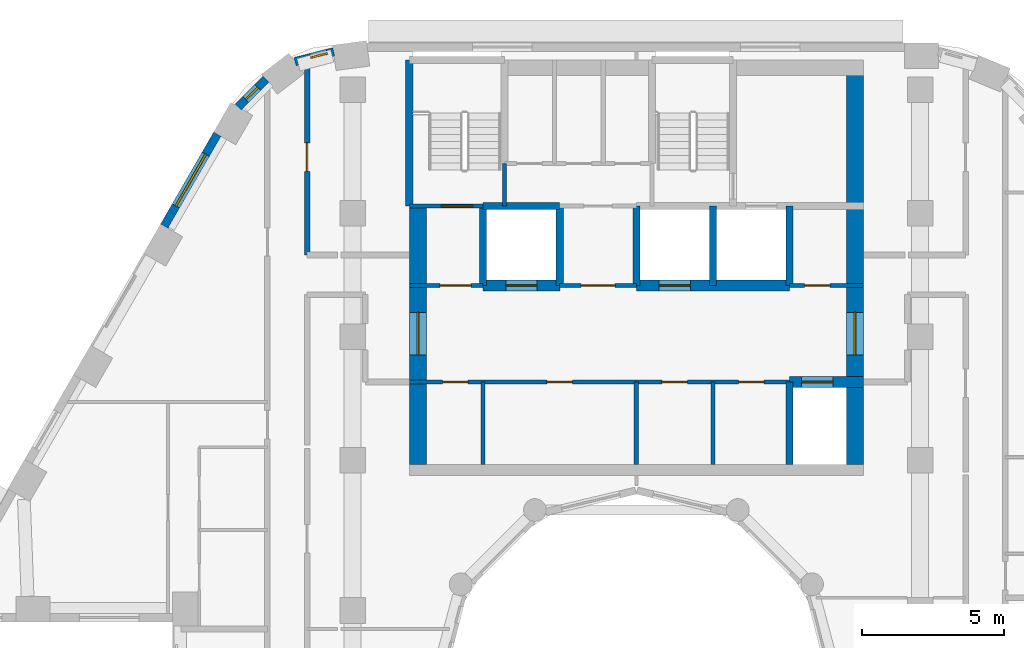
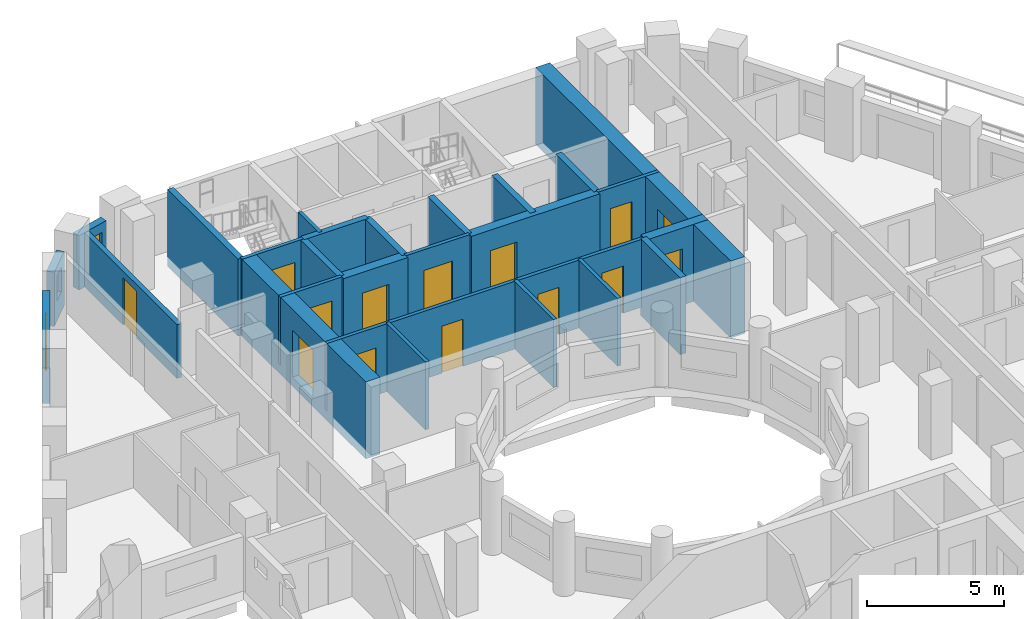
# One storey, part 8 of 18: 26 walls, 14 doors, 3 windows, 17 openings.
"""IFC4 building model written with IfcOpenShell, lengths in metres."""

from ifc_helpers import new_model, si_unit, direction, frame, frame_2d, origin, place, context, subcontext, project, spatial, rectangle, extrude, material, layer, layer_set, type_object, element, fill, save


model = new_model("IFC4")

# Units and contexts
model_context = context("Model", 3, precision=1e-05, world=origin(), true_north=direction((0.0, 1.0)))
body_context = subcontext(model_context, "Body", "Model", "MODEL_VIEW")
ifc_project = project(units=[si_unit("LENGTHUNIT", "METRE"), si_unit("AREAUNIT", "SQUARE_METRE"), si_unit("VOLUMEUNIT", "CUBIC_METRE"), si_unit("PLANEANGLEUNIT", "RADIAN"), si_unit("MASSUNIT", "GRAM", prefix="KILO")], contexts=[model_context])

# Site, building, storey
site_placement = place(None, origin())
site = spatial("IfcSite", under=ifc_project, at=site_placement, CompositionType="ELEMENT")
building_placement = place(site_placement, origin())
building = spatial("IfcBuilding", under=site, at=building_placement, Name="Nakaniwa Court", CompositionType="ELEMENT")
storey_placement = place(building_placement, frame((0.0, 0.0, 176.699951171875)))
storey = spatial("IfcBuildingStorey", under=building, at=storey_placement, Name="L45", CompositionType="ELEMENT", Elevation=176.699951171875)

# Wall, opening, door
ifc_material_1 = material(Name="Acoustic double stud partition")
ifc_layer_1 = layer(ifc_material_1, 0.199951171875)
ifc_layer_set_1 = layer_set([ifc_layer_1], Name="Acoustic double stud partition")
wall_type_1 = type_object("IfcWallType", Name="Acoustic double stud partition 200", PredefinedType="PARTITIONING", material=ifc_layer_set_1)
wall_1_placement = place(storey_placement, frame((68.39990234375, 102.07373046875, 0.0), z_axis=(0.0, 0.0, 1.0), x_axis=(0.0, -1.0, 0.0)))
wall_1 = element("IfcWall", 1, at=wall_1_placement, inside=storey, type_object=wall_type_1, Name="Partition PW-103", PredefinedType="PARTITIONING", context=body_context, shape_type="SweptSolid", body=[
    extrude(rectangle(XDim=6.898681640625, YDim=0.199951171875, at=frame_2d((3.44921875, 0.0))), origin(), (0.0, 0.0, 1.0), 2.405029296875),
])
opening_1_placement = place(wall_1_placement, frame((2.948974609375, 0.0, 0.0)))
opening_1 = element("IfcOpeningElement", 2, at=opening_1_placement, cuts=wall_1, Name="Opening D-02-09", PredefinedType="OPENING", context=body_context, shape_type="SweptSolid", body=[
    extrude(rectangle(XDim=1.0, YDim=2.10009765625, at=frame_2d((0.5, 1.050048828125))), frame((0.0, 0.10986328125, 0.0), z_axis=(0.0, -1.0, 0.0), x_axis=(1.0, 0.0, 0.0)), (0.0, 0.0, 1.0), 0.219970703125),
])
ifc_material_2 = material(Name="Solid core timber door set, black veneer", Category="wood")
door_type_1 = type_object("IfcDoorType", Name="Internal door 1000", OperationType="NOTDEFINED", PredefinedType="DOOR", material=ifc_material_2)
door_1_placement = place(opening_1_placement, origin())
door_1 = element("IfcDoor", 3, at=door_1_placement, inside=storey, type_object=door_type_1, Name="Door D-02-09 L45-062", OperationType="SINGLE_SWING_LEFT", OverallHeight=2.10009765625, OverallWidth=1.0, PredefinedType="DOOR", context=body_context, shape_type="SweptSolid", body=[
    extrude(rectangle(XDim=1.0, YDim=2.10009765625, at=frame_2d((0.5, 1.050048828125))), frame((0.0, 0.02490234375, 0.0), z_axis=(0.0, -1.0, 0.0), x_axis=(1.0, 0.0, 0.0)), (0.0, 0.0, 1.0), 0.050048828125),
])
fill(opening_1, door_1)

# Wall, opening, window
ifc_material_3 = material(Name="Charcoal ceramic cladding")
ifc_layer_2 = layer(ifc_material_3, 0.02, Name="Ceramic cladding")
ifc_material_4 = material(Name="Ventilated air cavity")
ifc_layer_3 = layer(ifc_material_4, 0.04, ventilated=True, Name="Ventilated cavity")
ifc_material_5 = material(Name="Mineral wool insulation")
ifc_layer_4 = layer(ifc_material_5, 0.1, Name="Insulation")
ifc_material_6 = material(Name="Cement bonded sheathing board")
ifc_layer_5 = layer(ifc_material_6, 0.012, Name="Sheathing")
ifc_material_7 = material(Name="Cold-formed galvanised stud frame with mineral wool infill")
ifc_layer_6 = layer(ifc_material_7, 0.1, Name="Stud frame")
ifc_material_8 = material(Name="Fire-rated gypsum plasterboard lining")
ifc_layer_7 = layer(ifc_material_8, 0.028, Name="Lining")
ifc_layer_set_2 = layer_set([ifc_layer_2, ifc_layer_3, ifc_layer_4, ifc_layer_5, ifc_layer_6, ifc_layer_7], Name="Charcoal ceramic faced external wall system")
wall_type_2 = type_object("IfcWallType", Name="Black ceramic faced external wall 300", PredefinedType="SOLIDWALL", material=ifc_layer_set_2)
wall_2_placement = place(storey_placement, frame((69.3359375, 102.333251953125, 0.0), z_axis=(0.0, 0.0, 1.0), x_axis=(-0.969037396898, -0.246914000036, 0.0)))
wall_2 = element("IfcWall", 4, at=wall_2_placement, inside=storey, type_object=wall_type_2, Name="L45 external wall 09", PredefinedType="SOLIDWALL", context=body_context, shape_type="SweptSolid", body=[
    extrude(rectangle(XDim=1.403076171875, YDim=0.300048828125, at=frame_2d((0.70166015625, 0.0))), origin(), (0.0, 0.0, 1.0), 2.425048828125),
])
opening_2_placement = place(wall_2_placement, frame((0.22900390625, 0.0, 0.89990234375)))
opening_2 = element("IfcOpeningElement", 5, at=opening_2_placement, cuts=wall_2, Name="Opening W8.09", PredefinedType="OPENING", context=body_context, shape_type="SweptSolid", body=[
    extrude(rectangle(XDim=0.60009765625, YDim=1.10009765625, at=frame_2d((0.300048828125, 0.550048828125))), frame((0.0, 0.159912109375, 0.0), z_axis=(0.0, -1.0, 0.0), x_axis=(1.0, 0.0, 0.0)), (0.0, 0.0, 1.0), 0.320068359375),
])
ifc_material_9 = material(Name="Black anodised aluminium frame with dark low-E laminated double glazing", Category="aluminium")
window_type_1 = type_object("IfcWindowType", Name="Dark glass window 600x1100 sill 900", PartitioningType="SINGLE_PANEL", PredefinedType="WINDOW", material=ifc_material_9)
window_1_placement = place(opening_2_placement, origin())
window_1 = element("IfcWindow", 6, at=window_1_placement, inside=storey, type_object=window_type_1, Name="L45 habitable room window 09-0", OverallHeight=1.10009765625, OverallWidth=0.60009765625, PartitioningType="SINGLE_PANEL", PredefinedType="WINDOW", context=body_context, shape_type="SweptSolid", body=[
    extrude(rectangle(XDim=0.60009765625, YDim=1.10009765625, at=frame_2d((0.300048828125, 0.550048828125))), frame((0.0, 0.030029296875, 0.0), z_axis=(0.0, -1.0, 0.0), x_axis=(1.0, 0.0, 0.0)), (0.0, 0.0, 1.0), 0.06005859375),
])
fill(opening_2, window_1)

wall_3_placement = place(storey_placement, frame((66.951904296875, 101.36328125, 0.0), z_axis=(0.0, 0.0, 1.0), x_axis=(-0.70869320446, -0.705516790695, 0.0)))
wall_3 = element("IfcWall", 7, at=wall_3_placement, inside=storey, type_object=wall_type_2, Name="L45 external wall 10", PredefinedType="SOLIDWALL", context=body_context, shape_type="SweptSolid", body=[
    extrude(rectangle(XDim=1.383544921875, YDim=0.300048828125, at=frame_2d((0.69189453125, 0.0))), origin(), (0.0, 0.0, 1.0), 2.425048828125),
])
opening_3_placement = place(wall_3_placement, frame((0.407958984375, 0.0, 0.89990234375)))
opening_3 = element("IfcOpeningElement", 8, at=opening_3_placement, cuts=wall_3, Name="Opening W8.10", PredefinedType="OPENING", context=body_context, shape_type="SweptSolid", body=[
    extrude(rectangle(XDim=0.60009765625, YDim=1.10009765625, at=frame_2d((0.300048828125, 0.550048828125))), frame((0.0, 0.159912109375, 0.0), z_axis=(0.0, -1.0, 0.0), x_axis=(1.0, 0.0, 0.0)), (0.0, 0.0, 1.0), 0.320068359375),
])
window_2_placement = place(opening_3_placement, origin())
window_2 = element("IfcWindow", 9, at=window_2_placement, inside=storey, type_object=window_type_1, Name="L45 habitable room window 10-1", OverallHeight=1.10009765625, OverallWidth=0.60009765625, PartitioningType="SINGLE_PANEL", PredefinedType="WINDOW", context=body_context, shape_type="SweptSolid", body=[
    extrude(rectangle(XDim=0.60009765625, YDim=1.10009765625, at=frame_2d((0.300048828125, 0.550048828125))), frame((0.0, 0.030029296875, 0.0), z_axis=(0.0, -1.0, 0.0), x_axis=(1.0, 0.0, 0.0)), (0.0, 0.0, 1.0), 0.06005859375),
])
fill(opening_3, window_2)

wall_4_placement = place(storey_placement, frame((65.239013671875, 99.433349609375, 0.0), z_axis=(0.0, 0.0, 1.0), x_axis=(-0.499982088007, -0.866035745032, 0.0)))
wall_4 = element("IfcWall", 10, at=wall_4_placement, inside=storey, type_object=wall_type_2, Name="L45 external wall 11", PredefinedType="SOLIDWALL", context=body_context, shape_type="SweptSolid", body=[
    extrude(rectangle(XDim=3.744384765625, YDim=0.300048828125, at=frame_2d((1.8720703125, 0.0))), origin(), (0.0, 0.0, 1.0), 2.425048828125),
])
opening_4_placement = place(wall_4_placement, frame((0.822021484375, 0.0, 0.89990234375)))
opening_4 = element("IfcOpeningElement", 11, at=opening_4_placement, cuts=wall_4, Name="Opening W7.11", PredefinedType="OPENING", context=body_context, shape_type="SweptSolid", body=[
    extrude(rectangle(XDim=2.10009765625, YDim=1.10009765625, at=frame_2d((1.050048828125, 0.550048828125))), frame((0.0, 0.159912109375, 0.0), z_axis=(0.0, -1.0, 0.0), x_axis=(1.0, 0.0, 0.0)), (0.0, 0.0, 1.0), 0.320068359375),
])
window_type_2 = type_object("IfcWindowType", Name="Dark glass window 2100x1100 sill 900", PartitioningType="SINGLE_PANEL", PredefinedType="WINDOW", material=ifc_material_9)
window_3_placement = place(opening_4_placement, origin())
window_3 = element("IfcWindow", 12, at=window_3_placement, inside=storey, type_object=window_type_2, Name="L45 habitable room window 11-0", OverallHeight=1.10009765625, OverallWidth=2.10009765625, PartitioningType="SINGLE_PANEL", PredefinedType="WINDOW", context=body_context, shape_type="SweptSolid", body=[
    extrude(rectangle(XDim=2.10009765625, YDim=1.10009765625, at=frame_2d((1.050048828125, 0.550048828125))), frame((0.0, 0.030029296875, 0.0), z_axis=(0.0, -1.0, 0.0), x_axis=(1.0, 0.0, 0.0)), (0.0, 0.0, 1.0), 0.06005859375),
])
fill(opening_4, window_3)

# Wall
ifc_material_10 = material(Name="Blockwork partition", Category="masonry")
ifc_layer_8 = layer(ifc_material_10, 0.14990234375)
ifc_layer_set_3 = layer_set([ifc_layer_8], Name="Blockwork partition")
wall_type_3 = type_object("IfcWallType", Name="Blockwork partition 150", PredefinedType="PARTITIONING", material=ifc_layer_set_3)
wall_5_placement = place(storey_placement, frame((74.60009765625, 87.800048828125, 0.0), z_axis=(0.0, 0.0, 1.0), x_axis=(0.0, 1.0, 0.0)))
element("IfcWall", 13, at=wall_5_placement, inside=storey, type_object=wall_type_3, Name="Partition PW-001", PredefinedType="PARTITIONING", context=body_context, shape_type="SweptSolid", body=[
    extrude(rectangle(XDim=2.89990234375, YDim=0.14990234375, at=frame_2d((1.449951171875, 0.0))), origin(), (0.0, 0.0, 1.0), 3.025146484375),
])

# Wall, openings, doors
wall_6_placement = place(storey_placement, frame((85.39990234375, 90.699951171875, 0.0), z_axis=(0.0, 0.0, 1.0), x_axis=(-1.0, 0.0, 0.0)))
wall_6 = element("IfcWall", 14, at=wall_6_placement, inside=storey, type_object=wall_type_3, Name="Partition PW-002", PredefinedType="PARTITIONING", context=body_context, shape_type="SweptSolid", body=[
    extrude(rectangle(XDim=13.39990234375, YDim=0.14990234375, at=frame_2d((6.699951171875, 0.0))), origin(), (0.0, 0.0, 1.0), 3.025146484375),
])
opening_5_placement = place(wall_6_placement, frame((11.324951171875, 0.0, 0.0)))
opening_5 = element("IfcOpeningElement", 15, at=opening_5_placement, cuts=wall_6, Name="Opening D-05-01", PredefinedType="OPENING", context=body_context, shape_type="SweptSolid", body=[
    extrude(rectangle(XDim=0.89990234375, YDim=2.10009765625, at=frame_2d((0.449951171875, 1.050048828125))), frame((0.0, 0.0849609375, 0.0), z_axis=(0.0, -1.0, 0.0), x_axis=(1.0, 0.0, 0.0)), (0.0, 0.0, 1.0), 0.169921875),
])
opening_6_placement = place(wall_6_placement, frame((7.64990234375, 0.0, 0.0)))
opening_6 = element("IfcOpeningElement", 16, at=opening_6_placement, cuts=wall_6, Name="Opening D-05-02", PredefinedType="OPENING", context=body_context, shape_type="SweptSolid", body=[
    extrude(rectangle(XDim=0.89990234375, YDim=2.10009765625, at=frame_2d((0.449951171875, 1.050048828125))), frame((0.0, 0.0849609375, 0.0), z_axis=(0.0, -1.0, 0.0), x_axis=(1.0, 0.0, 0.0)), (0.0, 0.0, 1.0), 0.169921875),
])
opening_7_placement = place(wall_6_placement, frame((3.60009765625, 0.0, 0.0)))
opening_7 = element("IfcOpeningElement", 17, at=opening_7_placement, cuts=wall_6, Name="Opening D-05-03", PredefinedType="OPENING", context=body_context, shape_type="SweptSolid", body=[
    extrude(rectangle(XDim=0.89990234375, YDim=2.10009765625, at=frame_2d((0.449951171875, 1.050048828125))), frame((0.0, 0.0849609375, 0.0), z_axis=(0.0, -1.0, 0.0), x_axis=(1.0, 0.0, 0.0)), (0.0, 0.0, 1.0), 0.169921875),
])
opening_8_placement = place(wall_6_placement, frame((0.89990234375, 0.0, 0.0)))
opening_8 = element("IfcOpeningElement", 18, at=opening_8_placement, cuts=wall_6, Name="Opening D-05-04", PredefinedType="OPENING", context=body_context, shape_type="SweptSolid", body=[
    extrude(rectangle(XDim=0.89990234375, YDim=2.10009765625, at=frame_2d((0.449951171875, 1.050048828125))), frame((0.0, 0.0849609375, 0.0), z_axis=(0.0, -1.0, 0.0), x_axis=(1.0, 0.0, 0.0)), (0.0, 0.0, 1.0), 0.169921875),
])
ifc_material_11 = material(Name="Fire rated steel door set", Category="steel")
door_type_2 = type_object("IfcDoorType", Name="Service room door 900", OperationType="NOTDEFINED", PredefinedType="DOOR", material=ifc_material_11)
door_2_placement = place(opening_5_placement, origin())
door_2 = element("IfcDoor", 19, at=door_2_placement, inside=storey, type_object=door_type_2, Name="Door D-05-01 L45-001", OperationType="SINGLE_SWING_RIGHT", OverallHeight=2.10009765625, OverallWidth=0.89990234375, PredefinedType="DOOR", context=body_context, shape_type="SweptSolid", body=[
    extrude(rectangle(XDim=0.89990234375, YDim=2.10009765625, at=frame_2d((0.449951171875, 1.050048828125))), frame((0.0, 0.02490234375, 0.0), z_axis=(0.0, -1.0, 0.0), x_axis=(1.0, 0.0, 0.0)), (0.0, 0.0, 1.0), 0.050048828125),
])
fill(opening_5, door_2)
door_3_placement = place(opening_6_placement, origin())
door_3 = element("IfcDoor", 20, at=door_3_placement, inside=storey, type_object=door_type_2, Name="Door D-05-02 L45-002", OperationType="SINGLE_SWING_LEFT", OverallHeight=2.10009765625, OverallWidth=0.89990234375, PredefinedType="DOOR", context=body_context, shape_type="SweptSolid", body=[
    extrude(rectangle(XDim=0.89990234375, YDim=2.10009765625, at=frame_2d((0.449951171875, 1.050048828125))), frame((0.0, 0.02490234375, 0.0), z_axis=(0.0, -1.0, 0.0), x_axis=(1.0, 0.0, 0.0)), (0.0, 0.0, 1.0), 0.050048828125),
])
fill(opening_6, door_3)
door_4_placement = place(opening_7_placement, origin())
door_4 = element("IfcDoor", 21, at=door_4_placement, inside=storey, type_object=door_type_2, Name="Door D-05-03 L45-003", OperationType="SINGLE_SWING_RIGHT", OverallHeight=2.10009765625, OverallWidth=0.89990234375, PredefinedType="DOOR", context=body_context, shape_type="SweptSolid", body=[
    extrude(rectangle(XDim=0.89990234375, YDim=2.10009765625, at=frame_2d((0.449951171875, 1.050048828125))), frame((0.0, 0.02490234375, 0.0), z_axis=(0.0, -1.0, 0.0), x_axis=(1.0, 0.0, 0.0)), (0.0, 0.0, 1.0), 0.050048828125),
])
fill(opening_7, door_4)
door_5_placement = place(opening_8_placement, origin())
door_5 = element("IfcDoor", 22, at=door_5_placement, inside=storey, type_object=door_type_2, Name="Door D-05-04 L45-004", OperationType="SINGLE_SWING_LEFT", OverallHeight=2.10009765625, OverallWidth=0.89990234375, PredefinedType="DOOR", context=body_context, shape_type="SweptSolid", body=[
    extrude(rectangle(XDim=0.89990234375, YDim=2.10009765625, at=frame_2d((0.449951171875, 1.050048828125))), frame((0.0, 0.02490234375, 0.0), z_axis=(0.0, -1.0, 0.0), x_axis=(1.0, 0.0, 0.0)), (0.0, 0.0, 1.0), 0.050048828125),
])
fill(opening_8, door_5)

# Walls
for number, where, z_axis, x_axis, name in (
    (23, (80.0, 87.800048828125, 0.0), (0.0, 0.0, 1.0), (0.0, 1.0, 0.0), "Partition PW-008"),
    (24, (82.699951171875, 87.800048828125, 0.0), (0.0, 0.0, 1.0), (0.0, 1.0, 0.0), "Partition PW-009"),
):
    element("IfcWall", number, at=place(storey_placement, frame(where, z_axis=z_axis, x_axis=x_axis)), inside=storey, type_object=wall_type_3, Name=name, PredefinedType="PARTITIONING", context=body_context, shape_type="SweptSolid", body=[
        extrude(rectangle(XDim=2.89990234375, YDim=0.14990234375, at=frame_2d((1.449951171875, 0.0))), origin(), (0.0, 0.0, 1.0), 3.025146484375),
    ])

# Wall, opening, door
wall_7_placement = place(storey_placement, frame((72.0, 94.10009765625, 0.0), z_axis=(0.0, 0.0, 1.0), x_axis=(1.0, 0.0, 0.0)))
wall_7 = element("IfcWall", 25, at=wall_7_placement, inside=storey, type_object=wall_type_3, Name="Partition PW-010", PredefinedType="PARTITIONING", context=body_context, shape_type="SweptSolid", body=[
    extrude(rectangle(XDim=2.60302734375, YDim=0.14990234375, at=frame_2d((1.301513671875, 0.0))), origin(), (0.0, 0.0, 1.0), 3.025146484375),
])
opening_9_placement = place(wall_7_placement, frame((1.074951171875, 0.0, 0.0)))
opening_9 = element("IfcOpeningElement", 26, at=opening_9_placement, cuts=wall_7, Name="Opening D-08-01", PredefinedType="OPENING", context=body_context, shape_type="SweptSolid", body=[
    extrude(rectangle(XDim=1.10009765625, YDim=2.10009765625, at=frame_2d((0.550048828125, 1.050048828125))), frame((0.0, 0.0849609375, 0.0), z_axis=(0.0, -1.0, 0.0), x_axis=(1.0, 0.0, 0.0)), (0.0, 0.0, 1.0), 0.169921875),
])
door_type_3 = type_object("IfcDoorType", Name="Stair lobby door 1100", OperationType="NOTDEFINED", PredefinedType="DOOR", material=ifc_material_11)
door_6_placement = place(opening_9_placement, origin())
door_6 = element("IfcDoor", 27, at=door_6_placement, inside=storey, type_object=door_type_3, Name="Door D-08-01 L45-005", OperationType="SINGLE_SWING_RIGHT", OverallHeight=2.10009765625, OverallWidth=1.10009765625, PredefinedType="DOOR", context=body_context, shape_type="SweptSolid", body=[
    extrude(rectangle(XDim=1.10009765625, YDim=2.10009765625, at=frame_2d((0.550048828125, 1.050048828125))), frame((0.0, 0.02490234375, 0.0), z_axis=(0.0, -1.0, 0.0), x_axis=(1.0, 0.0, 0.0)), (0.0, 0.0, 1.0), 0.050048828125),
])
fill(opening_9, door_6)

wall_8_placement = place(storey_placement, frame((77.297119140625, 94.10009765625, 0.0), z_axis=(0.0, 0.0, 1.0), x_axis=(1.0, 0.0, 0.0)))
wall_8 = element("IfcWall", 28, at=wall_8_placement, inside=storey, type_object=wall_type_3, Name="Partition PW-011", PredefinedType="PARTITIONING", context=body_context, shape_type="SweptSolid", body=[
    extrude(rectangle(XDim=2.705810546875, YDim=0.14990234375, at=frame_2d((1.35302734375, 0.0))), origin(), (0.0, 0.0, 1.0), 3.025146484375),
])
opening_10_placement = place(wall_8_placement, frame((0.7529296875, 0.0, 0.0)))
opening_10 = element("IfcOpeningElement", 29, at=opening_10_placement, cuts=wall_8, Name="Opening D-06-01", PredefinedType="OPENING", context=body_context, shape_type="SweptSolid", body=[
    extrude(rectangle(XDim=1.199951171875, YDim=2.10009765625, at=frame_2d((0.60009765625, 1.050048828125))), frame((0.0, 0.0849609375, 0.0), z_axis=(0.0, -1.0, 0.0), x_axis=(1.0, 0.0, 0.0)), (0.0, 0.0, 1.0), 0.169921875),
])
ifc_material_12 = material(Name="Fire rated steel double door set", Category="steel")
door_type_4 = type_object("IfcDoorType", Name="Service passage double door 1200", OperationType="NOTDEFINED", PredefinedType="DOOR", material=ifc_material_12)
door_7_placement = place(opening_10_placement, origin())
door_7 = element("IfcDoor", 30, at=door_7_placement, inside=storey, type_object=door_type_4, Name="Door D-06-01 L45-006", OperationType="DOUBLE_DOOR_SINGLE_SWING", OverallHeight=2.10009765625, OverallWidth=1.199951171875, PredefinedType="DOOR", context=body_context, shape_type="SweptSolid", body=[
    extrude(rectangle(XDim=1.199951171875, YDim=2.10009765625, at=frame_2d((0.60009765625, 1.050048828125))), frame((0.0, 0.02490234375, 0.0), z_axis=(0.0, -1.0, 0.0), x_axis=(1.0, 0.0, 0.0)), (0.0, 0.0, 1.0), 0.050048828125),
])
fill(opening_10, door_7)

wall_9_placement = place(storey_placement, frame((85.39697265625, 94.10009765625, 0.0), z_axis=(0.0, 0.0, 1.0), x_axis=(1.0, 0.0, 0.0)))
wall_9 = element("IfcWall", 31, at=wall_9_placement, inside=storey, type_object=wall_type_3, Name="Partition PW-012", PredefinedType="PARTITIONING", context=body_context, shape_type="SweptSolid", body=[
    extrude(rectangle(XDim=2.60302734375, YDim=0.14990234375, at=frame_2d((1.301513671875, 0.0))), origin(), (0.0, 0.0, 1.0), 3.025146484375),
])
opening_11_placement = place(wall_9_placement, frame((0.528076171875, 0.0, 0.0)))
opening_11 = element("IfcOpeningElement", 32, at=opening_11_placement, cuts=wall_9, Name="Opening D-05-05", PredefinedType="OPENING", context=body_context, shape_type="SweptSolid", body=[
    extrude(rectangle(XDim=0.89990234375, YDim=2.10009765625, at=frame_2d((0.449951171875, 1.050048828125))), frame((0.0, 0.0849609375, 0.0), z_axis=(0.0, -1.0, 0.0), x_axis=(1.0, 0.0, 0.0)), (0.0, 0.0, 1.0), 0.169921875),
])
door_8_placement = place(opening_11_placement, origin())
door_8 = element("IfcDoor", 33, at=door_8_placement, inside=storey, type_object=door_type_2, Name="Door D-05-05 L45-007", OperationType="SINGLE_SWING_RIGHT", OverallHeight=2.10009765625, OverallWidth=0.89990234375, PredefinedType="DOOR", context=body_context, shape_type="SweptSolid", body=[
    extrude(rectangle(XDim=0.89990234375, YDim=2.10009765625, at=frame_2d((0.449951171875, 1.050048828125))), frame((0.0, 0.02490234375, 0.0), z_axis=(0.0, -1.0, 0.0), x_axis=(1.0, 0.0, 0.0)), (0.0, 0.0, 1.0), 0.050048828125),
])
fill(opening_11, door_8)

ifc_material_13 = material(Name="Concrete C80/100", Category="concrete")
ifc_layer_9 = layer(ifc_material_13, 0.60009765625)
ifc_layer_set_4 = layer_set([ifc_layer_9], Name="Concrete C80/100")
wall_type_4 = type_object("IfcWallType", Name="Concrete core side wall 600 C80", PredefinedType="SHEAR", material=ifc_layer_set_4)
wall_10_placement = place(storey_placement, frame((72.300048828125, 87.800048828125, -0.409912109375), z_axis=(0.0, 0.0, 1.0), x_axis=(0.0, 1.0, 0.0)))
wall_10 = element("IfcWall", 34, at=wall_10_placement, inside=storey, type_object=wall_type_4, Name="Core wall SW-03", PredefinedType="SHEAR", context=body_context, shape_type="SweptSolid", body=[
    extrude(rectangle(XDim=9.099853515625, YDim=0.60009765625, at=frame_2d((4.5498046875, 0.0))), origin(), (0.0, 0.0, 1.0), 3.43505859375),
])
opening_12_placement = place(wall_10_placement, frame((3.85205078125, 0.0, 0.409912109375)))
opening_12 = element("IfcOpeningElement", 35, at=opening_12_placement, cuts=wall_10, Name="Opening D-07-02", PredefinedType="OPENING", context=body_context, shape_type="SweptSolid", body=[
    extrude(rectangle(XDim=1.5, YDim=2.10009765625, at=frame_2d((0.75, 1.050048828125))), frame((0.0, 0.31005859375, 0.0), z_axis=(0.0, -1.0, 0.0), x_axis=(1.0, 0.0, 0.0)), (0.0, 0.0, 1.0), 0.6201171875),
])
ifc_material_14 = material(Name="Glazed fire rated steel double door set", Category="steel")
door_type_5 = type_object("IfcDoorType", Name="Lobby double door 1500", OperationType="NOTDEFINED", PredefinedType="DOOR", material=ifc_material_14)
door_9_placement = place(opening_12_placement, origin())
door_9 = element("IfcDoor", 36, at=door_9_placement, inside=storey, type_object=door_type_5, Name="Door D-07-02 L45-064", OperationType="DOUBLE_DOOR_SINGLE_SWING", OverallHeight=2.10009765625, OverallWidth=1.5, PredefinedType="DOOR", context=body_context, shape_type="SweptSolid", body=[
    extrude(rectangle(XDim=1.5, YDim=2.10009765625, at=frame_2d((0.75, 1.050048828125))), frame((0.0, 0.02490234375, 0.0), z_axis=(0.0, -1.0, 0.0), x_axis=(1.0, 0.0, 0.0)), (0.0, 0.0, 1.0), 0.050048828125),
])
fill(opening_12, door_9)

wall_11_placement = place(storey_placement, frame((87.699951171875, 102.050048828125, -0.409912109375), z_axis=(0.0, 0.0, 1.0), x_axis=(0.0, -1.0, 0.0)))
wall_11 = element("IfcWall", 37, at=wall_11_placement, inside=storey, type_object=wall_type_4, Name="Core wall SW-07", PredefinedType="SHEAR", context=body_context, shape_type="SweptSolid", body=[
    extrude(rectangle(XDim=14.25, YDim=0.60009765625, at=frame_2d((7.125, 0.0))), origin(), (0.0, 0.0, 1.0), 3.43505859375),
])
opening_13_placement = place(wall_11_placement, frame((8.89794921875, 0.0, 0.409912109375)))
opening_13 = element("IfcOpeningElement", 38, at=opening_13_placement, cuts=wall_11, Name="Opening D-07-01", PredefinedType="OPENING", context=body_context, shape_type="SweptSolid", body=[
    extrude(rectangle(XDim=1.5, YDim=2.10009765625, at=frame_2d((0.75, 1.050048828125))), frame((0.0, 0.31005859375, 0.0), z_axis=(0.0, -1.0, 0.0), x_axis=(1.0, 0.0, 0.0)), (0.0, 0.0, 1.0), 0.6201171875),
])
door_10_placement = place(opening_13_placement, origin())
door_10 = element("IfcDoor", 39, at=door_10_placement, inside=storey, type_object=door_type_5, Name="Door D-07-01 L45-063", OperationType="DOUBLE_DOOR_SINGLE_SWING", OverallHeight=2.10009765625, OverallWidth=1.5, PredefinedType="DOOR", context=body_context, shape_type="SweptSolid", body=[
    extrude(rectangle(XDim=1.5, YDim=2.10009765625, at=frame_2d((0.75, 1.050048828125))), frame((0.0, 0.02490234375, 0.0), z_axis=(0.0, -1.0, 0.0), x_axis=(1.0, 0.0, 0.0)), (0.0, 0.0, 1.0), 0.050048828125),
])
fill(opening_13, door_10)

ifc_layer_10 = layer(ifc_material_13, 0.39990234375)
ifc_layer_set_5 = layer_set([ifc_layer_10], Name="Concrete C80/100")
wall_type_5 = type_object("IfcWallType", Name="Concrete core spine wall 400 C80", PredefinedType="SHEAR", material=ifc_layer_set_5)
wall_12_placement = place(storey_placement, frame((85.39990234375, 90.699951171875, -0.409912109375), z_axis=(0.0, 0.0, 1.0), x_axis=(1.0, 0.0, 0.0)))
wall_12 = element("IfcWall", 40, at=wall_12_placement, inside=storey, type_object=wall_type_5, Name="Core wall SW-06", PredefinedType="SHEAR", context=body_context, shape_type="SweptSolid", body=[
    extrude(rectangle(XDim=2.60009765625, YDim=0.39990234375, at=frame_2d((1.300048828125, 0.0))), origin(), (0.0, 0.0, 1.0), 3.43505859375),
])
opening_14_placement = place(wall_12_placement, frame((0.425048828125, 0.0, 0.409912109375)))
opening_14 = element("IfcOpeningElement", 41, at=opening_14_placement, cuts=wall_12, Name="Opening LD01", PredefinedType="OPENING", context=body_context, shape_type="SweptSolid", body=[
    extrude(rectangle(XDim=1.10009765625, YDim=2.10009765625, at=frame_2d((0.550048828125, 1.050048828125))), frame((0.0, 0.2099609375, 0.0), z_axis=(0.0, -1.0, 0.0), x_axis=(1.0, 0.0, 0.0)), (0.0, 0.0, 1.0), 0.419921875),
])
ifc_material_15 = material(Name="Stainless steel sliding lift landing door", Category="steel")
door_type_6 = type_object("IfcDoorType", Name="Lift landing door 1100", OperationType="NOTDEFINED", PredefinedType="DOOR", material=ifc_material_15)
door_11_placement = place(opening_14_placement, origin())
door_11 = element("IfcDoor", 42, at=door_11_placement, inside=storey, type_object=door_type_6, Name="Lift landing door LD01 L45-001", OperationType="SLIDING_TO_LEFT", OverallHeight=2.10009765625, OverallWidth=1.10009765625, PredefinedType="DOOR", context=body_context, shape_type="SweptSolid", body=[
    extrude(rectangle(XDim=1.10009765625, YDim=2.10009765625, at=frame_2d((0.550048828125, 1.050048828125))), frame((0.0, 0.02490234375, 0.0), z_axis=(0.0, -1.0, 0.0), x_axis=(1.0, 0.0, 0.0)), (0.0, 0.0, 1.0), 0.050048828125),
])
fill(opening_14, door_11)

wall_13_placement = place(storey_placement, frame((74.596923828125, 94.10009765625, -0.409912109375), z_axis=(0.0, 0.0, 1.0), x_axis=(1.0, 0.0, 0.0)))
wall_13 = element("IfcWall", 43, at=wall_13_placement, inside=storey, type_object=wall_type_5, Name="Core wall SW-13", PredefinedType="SHEAR", context=body_context, shape_type="SweptSolid", body=[
    extrude(rectangle(XDim=2.7060546875, YDim=0.39990234375, at=frame_2d((1.35302734375, 0.0))), origin(), (0.0, 0.0, 1.0), 3.43505859375),
])
opening_15_placement = place(wall_13_placement, frame((0.802978515625, 0.0, 0.409912109375)))
opening_15 = element("IfcOpeningElement", 44, at=opening_15_placement, cuts=wall_13, Name="Opening LD02", PredefinedType="OPENING", context=body_context, shape_type="SweptSolid", body=[
    extrude(rectangle(XDim=1.10009765625, YDim=2.10009765625, at=frame_2d((0.550048828125, 1.050048828125))), frame((0.0, 0.2099609375, 0.0), z_axis=(0.0, -1.0, 0.0), x_axis=(1.0, 0.0, 0.0)), (0.0, 0.0, 1.0), 0.419921875),
])
door_12_placement = place(opening_15_placement, origin())
door_12 = element("IfcDoor", 45, at=door_12_placement, inside=storey, type_object=door_type_6, Name="Lift landing door LD02 L45-002", OperationType="SLIDING_TO_LEFT", OverallHeight=2.10009765625, OverallWidth=1.10009765625, PredefinedType="DOOR", context=body_context, shape_type="SweptSolid", body=[
    extrude(rectangle(XDim=1.10009765625, YDim=2.10009765625, at=frame_2d((0.550048828125, 1.050048828125))), frame((0.0, 0.02490234375, 0.0), z_axis=(0.0, -1.0, 0.0), x_axis=(1.0, 0.0, 0.0)), (0.0, 0.0, 1.0), 0.050048828125),
])
fill(opening_15, door_12)

wall_14_placement = place(storey_placement, frame((79.9970703125, 94.10009765625, -0.409912109375), z_axis=(0.0, 0.0, 1.0), x_axis=(1.0, 0.0, 0.0)))
wall_14 = element("IfcWall", 46, at=wall_14_placement, inside=storey, type_object=wall_type_5, Name="Core wall SW-14", PredefinedType="SHEAR", context=body_context, shape_type="SweptSolid", body=[
    extrude(rectangle(XDim=5.406005859375, YDim=0.39990234375, at=frame_2d((2.703125, 0.0))), origin(), (0.0, 0.0, 1.0), 3.43505859375),
])
opening_16_placement = place(wall_14_placement, frame((0.802978515625, 0.0, 0.409912109375)))
opening_16 = element("IfcOpeningElement", 47, at=opening_16_placement, cuts=wall_14, Name="Opening LD03", PredefinedType="OPENING", context=body_context, shape_type="SweptSolid", body=[
    extrude(rectangle(XDim=1.10009765625, YDim=2.10009765625, at=frame_2d((0.550048828125, 1.050048828125))), frame((0.0, 0.2099609375, 0.0), z_axis=(0.0, -1.0, 0.0), x_axis=(1.0, 0.0, 0.0)), (0.0, 0.0, 1.0), 0.419921875),
])
door_13_placement = place(opening_16_placement, origin())
door_13 = element("IfcDoor", 48, at=door_13_placement, inside=storey, type_object=door_type_6, Name="Lift landing door LD03 L45-003", OperationType="SLIDING_TO_LEFT", OverallHeight=2.10009765625, OverallWidth=1.10009765625, PredefinedType="DOOR", context=body_context, shape_type="SweptSolid", body=[
    extrude(rectangle(XDim=1.10009765625, YDim=2.10009765625, at=frame_2d((0.550048828125, 1.050048828125))), frame((0.0, 0.02490234375, 0.0), z_axis=(0.0, -1.0, 0.0), x_axis=(1.0, 0.0, 0.0)), (0.0, 0.0, 1.0), 0.050048828125),
])
fill(opening_16, door_13)

ifc_layer_11 = layer(ifc_material_13, 0.14990234375)
ifc_layer_set_6 = layer_set([ifc_layer_11], Name="Concrete C80/100")
wall_type_6 = type_object("IfcWallType", Name="Concrete core wall 150 C80", PredefinedType="SHEAR", material=ifc_layer_set_6)
wall_15_placement = place(storey_placement, frame((74.60009765625, 96.89990234375, -0.409912109375), z_axis=(0.0, 0.0, 1.0), x_axis=(-1.0, 0.0, 0.0)))
wall_15 = element("IfcWall", 49, at=wall_15_placement, inside=storey, type_object=wall_type_6, Name="Core wall SW-16", PredefinedType="SHEAR", context=body_context, shape_type="SweptSolid", body=[
    extrude(rectangle(XDim=2.60009765625, YDim=0.14990234375, at=frame_2d((1.300048828125, 0.0))), origin(), (0.0, 0.0, 1.0), 3.43505859375),
])
opening_17_placement = place(wall_15_placement, frame((0.3701171875, 0.0, 0.409912109375)))
opening_17 = element("IfcOpeningElement", 50, at=opening_17_placement, cuts=wall_15, Name="Opening D-09-01", PredefinedType="OPENING", context=body_context, shape_type="SweptSolid", body=[
    extrude(rectangle(XDim=1.10009765625, YDim=2.10009765625, at=frame_2d((0.550048828125, 1.050048828125))), frame((0.0, 0.0849609375, 0.0), z_axis=(0.0, -1.0, 0.0), x_axis=(1.0, 0.0, 0.0)), (0.0, 0.0, 1.0), 0.169921875),
])
door_type_7 = type_object("IfcDoorType", Name="Stair door 1100", OperationType="NOTDEFINED", PredefinedType="DOOR", material=ifc_material_11)
door_14_placement = place(opening_17_placement, origin())
door_14 = element("IfcDoor", 51, at=door_14_placement, inside=storey, type_object=door_type_7, Name="Door D-09-01 L45-012", OperationType="SINGLE_SWING_RIGHT", OverallHeight=2.10009765625, OverallWidth=1.10009765625, PredefinedType="DOOR", context=body_context, shape_type="SweptSolid", body=[
    extrude(rectangle(XDim=1.10009765625, YDim=2.10009765625, at=frame_2d((0.550048828125, 1.050048828125))), frame((0.0, 0.02490234375, 0.0), z_axis=(0.0, -1.0, 0.0), x_axis=(1.0, 0.0, 0.0)), (0.0, 0.0, 1.0), 0.050048828125),
])
fill(opening_17, door_14)

# Walls
wall_16_placement = place(storey_placement, frame((75.35009765625, 96.89990234375, -0.409912109375), z_axis=(0.0, 0.0, 1.0), x_axis=(0.0, 1.0, 0.0)))
element("IfcWall", 52, at=wall_16_placement, inside=storey, type_object=wall_type_6, Name="Core wall SW-23", PredefinedType="SHEAR", context=body_context, shape_type="SweptSolid", body=[
    extrude(rectangle(XDim=1.503173828125, YDim=0.14990234375, at=frame_2d((0.75146484375, 0.0))), origin(), (0.0, 0.0, 1.0), 3.43505859375),
])
ifc_layer_12 = layer(ifc_material_13, 0.25)
ifc_layer_set_7 = layer_set([ifc_layer_12], Name="Concrete C80/100")
wall_type_7 = type_object("IfcWallType", Name="Concrete core wall 250 C80", PredefinedType="SHEAR", material=ifc_layer_set_7)
wall_17_placement = place(storey_placement, frame((72.0, 96.89990234375, -0.409912109375), z_axis=(0.0, 0.0, 1.0), x_axis=(0.0, 1.0, 0.0)))
element("IfcWall", 53, at=wall_17_placement, inside=storey, type_object=wall_type_7, Name="Core wall SW-27", PredefinedType="SHEAR", context=body_context, shape_type="SweptSolid", body=[
    extrude(rectangle(XDim=5.150146484375, YDim=0.25, at=frame_2d((2.5751953125, 0.0))), origin(), (0.0, 0.0, 1.0), 3.43505859375),
])
ifc_layer_13 = layer(ifc_material_13, 0.25)
ifc_layer_set_8 = layer_set([ifc_layer_13], Name="Concrete C80/100")
wall_type_8 = type_object("IfcWallType", Name="Concrete shaft wall 250 C80", PredefinedType="SHEAR", material=ifc_layer_set_8)
wall_18_placement = place(storey_placement, frame((85.39990234375, 87.800048828125, -0.409912109375), z_axis=(0.0, 0.0, 1.0), x_axis=(0.0, 1.0, 0.0)))
element("IfcWall", 54, at=wall_18_placement, inside=storey, type_object=wall_type_8, Name="Core wall SW-04", PredefinedType="SHEAR", context=body_context, shape_type="SweptSolid", body=[
    extrude(rectangle(XDim=2.89990234375, YDim=0.25, at=frame_2d((1.449951171875, 0.0))), origin(), (0.0, 0.0, 1.0), 3.43505859375),
])
for number, where, z_axis, x_axis, name in (
    (55, (85.39990234375, 94.10009765625, -0.409912109375), (0.0, 0.0, 1.0), (0.0, 1.0, 0.0), "Core wall SW-05"),
    (56, (74.60009765625, 94.10009765625, -0.409912109375), (0.0, 0.0, 1.0), (0.0, 1.0, 0.0), "Core wall SW-15"),
    (57, (77.300048828125, 94.10009765625, -0.409912109375), (0.0, 0.0, 1.0), (0.0, 1.0, 0.0), "Core wall SW-17"),
):
    element("IfcWall", number, at=place(storey_placement, frame(where, z_axis=z_axis, x_axis=x_axis)), inside=storey, type_object=wall_type_8, Name=name, PredefinedType="SHEAR", context=body_context, shape_type="SweptSolid", body=[
        extrude(rectangle(XDim=2.7998046875, YDim=0.25, at=frame_2d((1.39990234375, 0.0))), origin(), (0.0, 0.0, 1.0), 3.43505859375),
    ])
wall_19_placement = place(storey_placement, frame((74.60009765625, 96.89990234375, -0.409912109375), z_axis=(0.0, 0.0, 1.0), x_axis=(1.0, 0.0, 0.0)))
element("IfcWall", 58, at=wall_19_placement, inside=storey, type_object=wall_type_8, Name="Core wall SW-18", PredefinedType="SHEAR", context=body_context, shape_type="SweptSolid", body=[
    extrude(rectangle(XDim=2.699951171875, YDim=0.25, at=frame_2d((1.35009765625, 0.0))), origin(), (0.0, 0.0, 1.0), 3.43505859375),
])
for number, where, z_axis, x_axis, name in (
    (59, (80.0, 94.10009765625, -0.409912109375), (0.0, 0.0, 1.0), (0.0, 1.0, 0.0), "Core wall SW-20"),
    (60, (82.699951171875, 94.10009765625, -0.409912109375), (0.0, 0.0, 1.0), (0.0, 1.0, 0.0), "Core wall SW-22"),
):
    element("IfcWall", number, at=place(storey_placement, frame(where, z_axis=z_axis, x_axis=x_axis)), inside=storey, type_object=wall_type_8, Name=name, PredefinedType="SHEAR", context=body_context, shape_type="SweptSolid", body=[
        extrude(rectangle(XDim=2.7998046875, YDim=0.25, at=frame_2d((1.39990234375, 0.0))), origin(), (0.0, 0.0, 1.0), 3.43505859375),
    ])

save(model, "model.ifc")
